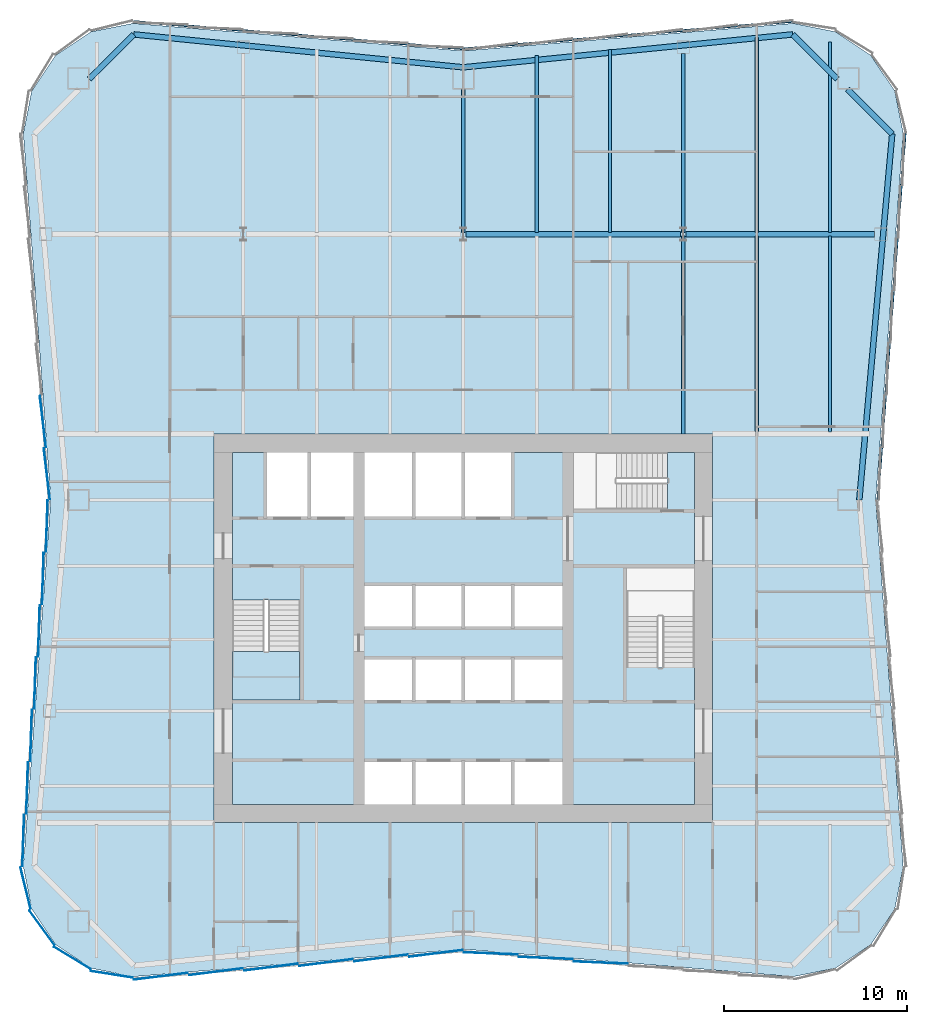
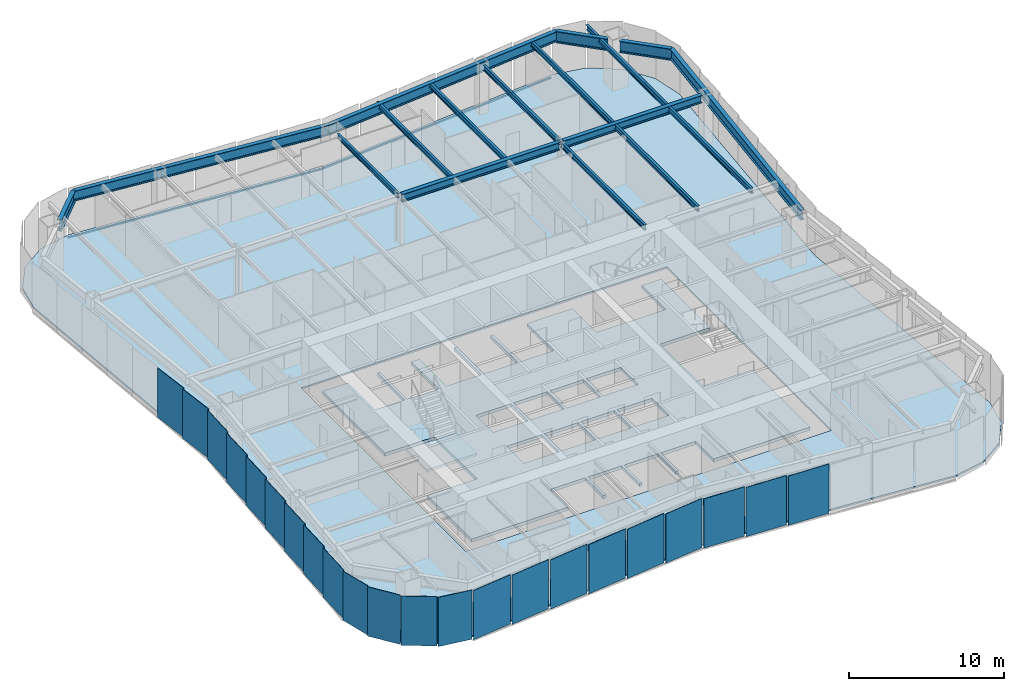
# One storey, part 2 of 8: 22 plates, 17 beams, 3 members, 3 slabs, 6 elements without a shape of their own.
"""IFC4 building model written with IfcOpenShell, lengths in metres."""

from ifc_helpers import new_model, si_unit, direction, frame, origin, origin_2d, place, context, subcontext, project, spatial, polyline, rectangle, i_section, outline, extrude, material, layer, layer_set, material_profile, profile_set, type_object, element, aggregate, save


model = new_model("IFC4")

# Units and contexts
model_context = context("Model", 3, precision=1e-05, world=origin(), true_north=direction((0.0, 1.0)))
body_context = subcontext(model_context, "Body", "Model", "MODEL_VIEW")
ifc_project = project(units=[si_unit("LENGTHUNIT", "METRE"), si_unit("AREAUNIT", "SQUARE_METRE"), si_unit("VOLUMEUNIT", "CUBIC_METRE"), si_unit("PLANEANGLEUNIT", "RADIAN"), si_unit("MASSUNIT", "GRAM", prefix="KILO")], contexts=[model_context])

# Site, building, storey
site_placement = place(None, origin())
site = spatial("IfcSite", under=ifc_project, at=site_placement, CompositionType="ELEMENT")
building_placement = place(site_placement, origin())
building = spatial("IfcBuilding", under=site, at=building_placement, Name="Verdant Reach Tower", CompositionType="ELEMENT")
storey_placement = place(building_placement, frame((0.0, 0.0, 158.0)))
storey = spatial("IfcBuildingStorey", under=building, at=storey_placement, Name="L36", CompositionType="ELEMENT", Elevation=158.0)

# Curtain wall, member
ifc_material_1 = material(Name="Anodised aluminium", Category="aluminium")
curtain_wall_type = type_object("IfcCurtainWallType", Name="EN-CW SYSTEM Z2", PredefinedType="NOTDEFINED", material=ifc_material_1)
curtain_wall_1_placement = place(storey_placement, origin())
curtain_wall_1 = element("IfcCurtainWall", 1, at=curtain_wall_1_placement, inside=storey, type_object=curtain_wall_type, Name="Curtain wall east, L36", PredefinedType="NOTDEFINED")
ifc_material_profile_1 = material_profile(ifc_material_1, rectangle(XDim=0.10009765625, YDim=0.1240234375, at=origin_2d()), Name="Transom 124x100")
ifc_profile_set_1 = profile_set([ifc_material_profile_1], Name="Anodised aluminium")
member_type = type_object("IfcMemberType", Name="EN-TRANSOM Z2", PredefinedType="USERDEFINED", material=ifc_profile_set_1)
member_1_placement = place(storey_placement, frame((22.6083984375, 35.031982421875, -0.2880859375), z_axis=(0.07476111665, 0.997201471839, 0.0), x_axis=(-0.997201471839, 0.07476111665, 0.0)))
member_1 = element("IfcMember", 2, at=member_1_placement, type_object=member_type, Name="Transom east face part 2 1.1, L36", ObjectType="TRANSOM", PredefinedType="USERDEFINED", context=body_context, shape_type="SweptSolid", body=[
    extrude(rectangle(XDim=0.10009765625, YDim=0.1240234375, at=origin_2d()), origin(), (0.0, 0.0, 1.0), 19.99853515625),
])
aggregate(curtain_wall_1, [member_1])

# Curtain wall, members
curtain_wall_2_placement = place(storey_placement, origin())
curtain_wall_2 = element("IfcCurtainWall", 3, at=curtain_wall_2_placement, inside=storey, type_object=curtain_wall_type, Name="Curtain wall north, L36", PredefinedType="NOTDEFINED")
member_2_placement = place(storey_placement, frame((17.97412109375, 61.103271484375, -0.2880859375), z_axis=(-0.996548282776, -0.083015179915, 0.0), x_axis=(0.083015179915, -0.996548282776, 0.0)))
member_2 = element("IfcMember", 4, at=member_2_placement, type_object=member_type, Name="Transom north face part 1 1.1, L36", ObjectType="TRANSOM", PredefinedType="USERDEFINED", context=body_context, shape_type="SweptSolid", body=[
    extrude(rectangle(XDim=0.10009765625, YDim=0.1240234375, at=origin_2d()), origin(), (0.0, 0.0, 1.0), 18.00439453125),
])
member_3_placement = place(storey_placement, frame((-0.031982421875, 59.608642578125, -0.2880859375), z_axis=(-0.996548282776, 0.083015179915, 0.0), x_axis=(-0.083015179915, -0.996548282776, 0.0)))
member_3 = element("IfcMember", 5, at=member_3_placement, type_object=member_type, Name="Transom north face part 2 1.1, L36", ObjectType="TRANSOM", PredefinedType="USERDEFINED", context=body_context, shape_type="SweptSolid", body=[
    extrude(rectangle(XDim=0.10009765625, YDim=0.1240234375, at=origin_2d()), origin(), (0.0, 0.0, 1.0), 18.00439453125),
])
aggregate(curtain_wall_2, [member_2, member_3])

# Beams
ifc_material_2 = material(Name="Steel S355", Category="steel")
ifc_material_profile_2 = material_profile(ifc_material_2, i_section(OverallWidth=0.300048828125, OverallDepth=0.60009765625, WebThickness=0.015380859375, FlangeThickness=0.030029296875, FilletRadius=0.027099609375, at=origin_2d()), Name="HEB 600")
ifc_profile_set_2 = profile_set([ifc_material_profile_2], Name="Steel S355")
beam_type_1 = type_object("IfcBeamType", Name="ST-BEAM-HEB600", PredefinedType="BEAM", material=ifc_profile_set_2)
beam_1_placement = place(storey_placement, frame((0.154052734375, 49.5, 3.570068359375), z_axis=(1.0, 0.0, 0.0), x_axis=(0.0, 1.0, 0.0)))
element("IfcBeam", 6, at=beam_1_placement, inside=storey, type_object=beam_type_1, Name="Row girder, L36", PredefinedType="BEAM", context=body_context, shape_type="SweptSolid", body=[
    extrude(i_section(OverallWidth=0.300048828125, OverallDepth=0.60009765625, WebThickness=0.015380859375, FlangeThickness=0.030029296875, FilletRadius=0.027099609375, at=origin_2d()), origin(), (0.0, 0.0, 1.0), 11.69189453125),
])
beam_2_placement = place(storey_placement, frame((12.154052734375, 49.5, 3.570068359375), z_axis=(1.0, 0.0, 0.0), x_axis=(0.0, 1.0, 0.0)))
element("IfcBeam", 7, at=beam_2_placement, inside=storey, type_object=beam_type_1, Name="Row girder, L36", PredefinedType="BEAM", context=body_context, shape_type="SweptSolid", body=[
    extrude(i_section(OverallWidth=0.300048828125, OverallDepth=0.60009765625, WebThickness=0.015380859375, FlangeThickness=0.030029296875, FilletRadius=0.027099609375, at=origin_2d()), origin(), (0.0, 0.0, 1.0), 10.283447265625),
])
ifc_material_profile_3 = material_profile(ifc_material_2, i_section(OverallWidth=0.169921875, OverallDepth=0.360107421875, WebThickness=0.008056640625, FlangeThickness=0.0126953125, FilletRadius=0.01806640625, at=origin_2d()), Name="IPE 360")
ifc_profile_set_3 = profile_set([ifc_material_profile_3], Name="Steel S355")
beam_type_2 = type_object("IfcBeamType", Name="ST-JOIST-IPE360", PredefinedType="JOIST", material=ifc_profile_set_3)
beam_3_placement = place(storey_placement, frame((0.0, 49.60009765625, 3.68994140625), z_axis=(0.0, 1.0, 0.0), x_axis=(-1.0, 0.0, 0.0)))
element("IfcBeam", 8, at=beam_3_placement, inside=storey, type_object=beam_type_2, Name="Floor joist, L36", PredefinedType="JOIST", context=body_context, shape_type="SweptSolid", body=[
    extrude(i_section(OverallWidth=0.169921875, OverallDepth=0.360107421875, WebThickness=0.008056640625, FlangeThickness=0.0126953125, FilletRadius=0.01806640625, at=origin_2d()), origin(), (0.0, 0.0, 1.0), 7.7998046875),
])
ifc_material_profile_4 = material_profile(ifc_material_2, i_section(OverallWidth=0.179931640625, OverallDepth=0.39990234375, WebThickness=0.008544921875, FlangeThickness=0.013427734375, FilletRadius=0.02099609375, at=origin_2d()), Name="IPE 400")
ifc_profile_set_4 = profile_set([ifc_material_profile_4], Name="Steel S355")
beam_type_3 = type_object("IfcBeamType", Name="ST-JOIST-IPE400", PredefinedType="JOIST", material=ifc_profile_set_4)
beam_4_placement = place(storey_placement, frame((4.0, 49.60009765625, 3.669921875), z_axis=(0.0, 1.0, 0.0), x_axis=(-1.0, 0.0, 0.0)))
element("IfcBeam", 9, at=beam_4_placement, inside=storey, type_object=beam_type_3, Name="Floor joist, L36", PredefinedType="JOIST", context=body_context, shape_type="SweptSolid", body=[
    extrude(i_section(OverallWidth=0.179931640625, OverallDepth=0.39990234375, WebThickness=0.008544921875, FlangeThickness=0.013427734375, FilletRadius=0.02099609375, at=origin_2d()), origin(), (0.0, 0.0, 1.0), 9.631103515625),
])
beam_5_placement = place(storey_placement, frame((8.0, 49.60009765625, 3.669921875), z_axis=(0.0, 1.0, 0.0), x_axis=(-1.0, 0.0, 0.0)))
element("IfcBeam", 10, at=beam_5_placement, inside=storey, type_object=beam_type_3, Name="Floor joist, L36", PredefinedType="JOIST", context=body_context, shape_type="SweptSolid", body=[
    extrude(i_section(OverallWidth=0.179931640625, OverallDepth=0.39990234375, WebThickness=0.008544921875, FlangeThickness=0.013427734375, FilletRadius=0.02099609375, at=origin_2d()), origin(), (0.0, 0.0, 1.0), 9.964599609375),
])
beam_6_placement = place(storey_placement, frame((12.0, 38.60009765625, 3.669921875), z_axis=(0.0, 1.0, 0.0), x_axis=(-1.0, 0.0, 0.0)))
element("IfcBeam", 11, at=beam_6_placement, inside=storey, type_object=beam_type_3, Name="Floor joist, L36", PredefinedType="JOIST", context=body_context, shape_type="SweptSolid", body=[
    extrude(i_section(OverallWidth=0.179931640625, OverallDepth=0.39990234375, WebThickness=0.008544921875, FlangeThickness=0.013427734375, FilletRadius=0.02099609375, at=origin_2d()), origin(), (0.0, 0.0, 1.0), 10.7998046875),
])
beam_7_placement = place(storey_placement, frame((12.0, 49.60009765625, 3.669921875), z_axis=(0.0, 1.0, 0.0), x_axis=(-1.0, 0.0, 0.0)))
element("IfcBeam", 12, at=beam_7_placement, inside=storey, type_object=beam_type_3, Name="Floor joist, L36", PredefinedType="JOIST", context=body_context, shape_type="SweptSolid", body=[
    extrude(i_section(OverallWidth=0.179931640625, OverallDepth=0.39990234375, WebThickness=0.008544921875, FlangeThickness=0.013427734375, FilletRadius=0.02099609375, at=origin_2d()), origin(), (0.0, 0.0, 1.0), 9.75),
])
beam_8_placement = place(storey_placement, frame((16.0, 38.699951171875, 3.669921875), z_axis=(0.0, 1.0, 0.0), x_axis=(-1.0, 0.0, 0.0)))
element("IfcBeam", 13, at=beam_8_placement, inside=storey, type_object=beam_type_3, Name="Floor joist, L36", PredefinedType="JOIST", context=body_context, shape_type="SweptSolid", body=[
    extrude(i_section(OverallWidth=0.179931640625, OverallDepth=0.39990234375, WebThickness=0.008544921875, FlangeThickness=0.013427734375, FilletRadius=0.02099609375, at=origin_2d()), origin(), (0.0, 0.0, 1.0), 10.699951171875),
])
beam_9_placement = place(storey_placement, frame((16.0, 49.60009765625, 3.669921875), z_axis=(0.0, 1.0, 0.0), x_axis=(-1.0, 0.0, 0.0)))
element("IfcBeam", 14, at=beam_9_placement, inside=storey, type_object=beam_type_3, Name="Floor joist, L36", PredefinedType="JOIST", context=body_context, shape_type="SweptSolid", body=[
    extrude(i_section(OverallWidth=0.179931640625, OverallDepth=0.39990234375, WebThickness=0.008544921875, FlangeThickness=0.013427734375, FilletRadius=0.02099609375, at=origin_2d()), origin(), (0.0, 0.0, 1.0), 10.631103515625),
])
beam_10_placement = place(storey_placement, frame((20.0, 38.699951171875, 3.669921875), z_axis=(0.0, 1.0, 0.0), x_axis=(-1.0, 0.0, 0.0)))
element("IfcBeam", 15, at=beam_10_placement, inside=storey, type_object=beam_type_3, Name="Floor joist, L36", PredefinedType="JOIST", context=body_context, shape_type="SweptSolid", body=[
    extrude(i_section(OverallWidth=0.179931640625, OverallDepth=0.39990234375, WebThickness=0.008544921875, FlangeThickness=0.013427734375, FilletRadius=0.02099609375, at=origin_2d()), origin(), (0.0, 0.0, 1.0), 10.699951171875),
])
beam_11_placement = place(storey_placement, frame((20.0, 49.60009765625, 3.669921875), z_axis=(0.0, 1.0, 0.0), x_axis=(-1.0, 0.0, 0.0)))
element("IfcBeam", 16, at=beam_11_placement, inside=storey, type_object=beam_type_3, Name="Floor joist, L36", PredefinedType="JOIST", context=body_context, shape_type="SweptSolid", body=[
    extrude(i_section(OverallWidth=0.179931640625, OverallDepth=0.39990234375, WebThickness=0.008544921875, FlangeThickness=0.013427734375, FilletRadius=0.02099609375, at=origin_2d()), origin(), (0.0, 0.0, 1.0), 10.390380859375),
])
ifc_material_profile_5 = material_profile(ifc_material_2, i_section(OverallWidth=0.300048828125, OverallDepth=0.800048828125, WebThickness=0.017578125, FlangeThickness=0.032958984375, FilletRadius=0.030029296875, at=origin_2d()), Name="HEB 800")
ifc_profile_set_5 = profile_set([ifc_material_profile_5], Name="Steel S355")
beam_type_4 = type_object("IfcBeamType", Name="ST-SPANDREL-HEB800", PredefinedType="SPANDREL", material=ifc_profile_set_5)
for number, where, z_axis, x_axis, name in (
    (17, (-17.9658203125, 60.39501953125, 3.469970703125), (0.995046289869, -0.099412680371, 0.0), (0.099412680371, 0.995046289869, 0.0), "Edge beam, L36"),
    (18, (0.0, 58.60009765625, 3.469970703125), (0.995046289869, 0.099412680371, 0.0), (-0.099412680371, 0.995046289869, 0.0), "Edge beam, L36"),
):
    element("IfcBeam", number, at=place(storey_placement, frame(where, z_axis=z_axis, x_axis=x_axis)), inside=storey, type_object=beam_type_4, Name=name, PredefinedType="SPANDREL", context=body_context, shape_type="SweptSolid", body=[
        extrude(i_section(OverallWidth=0.300048828125, OverallDepth=0.800048828125, WebThickness=0.017578125, FlangeThickness=0.032958984375, FilletRadius=0.030029296875, at=origin_2d()), origin(), (0.0, 0.0, 1.0), 18.05517578125),
    ])
beam_12_placement = place(storey_placement, frame((23.3955078125, 54.963134765625, 3.469970703125), z_axis=(-0.089574749266, -0.995980102358, 0.0), x_axis=(0.995980102358, -0.089574749266, 0.0)))
element("IfcBeam", 19, at=beam_12_placement, inside=storey, type_object=beam_type_4, Name="Edge beam, L36", PredefinedType="SPANDREL", context=body_context, shape_type="SweptSolid", body=[
    extrude(i_section(OverallWidth=0.300048828125, OverallDepth=0.800048828125, WebThickness=0.017578125, FlangeThickness=0.032958984375, FilletRadius=0.030029296875, at=origin_2d()), origin(), (0.0, 0.0, 1.0), 20.043701171875),
])
ifc_material_profile_6 = material_profile(ifc_material_2, i_section(OverallWidth=0.302001953125, OverallDepth=0.909912109375, WebThickness=0.02099609375, FlangeThickness=0.0400390625, FilletRadius=0.030029296875, at=origin_2d()), Name="HEM 900")
ifc_profile_set_6 = profile_set([ifc_material_profile_6], Name="Steel S355")
beam_type_5 = type_object("IfcBeamType", Name="ST-SPANDREL-HEM900", PredefinedType="SPANDREL", material=ifc_profile_set_6)
for number, where, z_axis, x_axis, name in (
    (20, (-20.39990234375, 57.9599609375, 3.4150390625), (0.70696494852, 0.70724858541, 0.0), (-0.70724858541, 0.70696494852, 0.0), "Edge beam, L36"),
    (21, (17.9658203125, 60.39501953125, 3.4150390625), (0.70696494852, -0.70724858541, 0.0), (0.70724858541, 0.70696494852, 0.0), "Edge beam, L36"),
):
    element("IfcBeam", number, at=place(storey_placement, frame(where, z_axis=z_axis, x_axis=x_axis)), inside=storey, type_object=beam_type_5, Name=name, PredefinedType="SPANDREL", context=body_context, shape_type="SweptSolid", body=[
        extrude(i_section(OverallWidth=0.302001953125, OverallDepth=0.909912109375, WebThickness=0.02099609375, FlangeThickness=0.0400390625, FilletRadius=0.030029296875, at=origin_2d()), origin(), (0.0, 0.0, 1.0), 3.443115234375),
    ])
beam_13_placement = place(storey_placement, frame((20.959716796875, 57.39990234375, 3.4150390625), z_axis=(0.706965048022, -0.707248485948, 0.0), x_axis=(0.707248485948, 0.706965048022, 0.0)))
element("IfcBeam", 22, at=beam_13_placement, inside=storey, type_object=beam_type_5, Name="Edge beam, L36", PredefinedType="SPANDREL", context=body_context, shape_type="SweptSolid", body=[
    extrude(i_section(OverallWidth=0.302001953125, OverallDepth=0.909912109375, WebThickness=0.02099609375, FlangeThickness=0.0400390625, FilletRadius=0.030029296875, at=origin_2d()), origin(), (0.0, 0.0, 1.0), 3.4453125),
])

# Stair, slab
ifc_material_3 = material(Name="Concrete C40/50", Category="concrete")
stair_type = type_object("IfcStairType", Name="CO-STAIR", PredefinedType="HALF_TURN_STAIR", material=ifc_material_3)
stair_placement = place(storey_placement, origin())
stair = element("IfcStair", 23, at=stair_placement, inside=storey, type_object=stair_type, Name="L36 Exit stair 1", PredefinedType="HALF_TURN_STAIR")
ifc_layer_1 = layer(ifc_material_3, 0.199951171875)
ifc_layer_set_1 = layer_set([ifc_layer_1], Name="CO-STAIR-LANDING")
slab_type_1 = type_object("IfcSlabType", Name="CO-STAIR-LANDING", PredefinedType="LANDING", material=ifc_layer_set_1)
slab_1_placement = place(storey_placement, frame((0.0, 0.0, 1.800048828125)))
slab_1 = element("IfcSlab", 24, at=slab_1_placement, type_object=slab_type_1, Name="ST-1 landing 1", PredefinedType="LANDING", context=body_context, shape_type="SweptSolid", body=[
    extrude(outline(polyline([(-12.60009765625, 26.75), (-12.60009765625, 24.10009765625), (-8.89990234375, 24.10009765625), (-8.89990234375, 26.75), (-12.60009765625, 26.75)])), origin(), (0.0, 0.0, 1.0), 0.199951171875),
])
aggregate(stair, [slab_1])

# Curtain wall, plates
curtain_wall_3_placement = place(storey_placement, origin())
curtain_wall_3 = element("IfcCurtainWall", 25, at=curtain_wall_3_placement, inside=storey, type_object=curtain_wall_type, Name="Curtain wall west, L36", PredefinedType="NOTDEFINED")
ifc_material_4 = material(Name="Tinted glass with champagne spandrel", Category="glass")
ifc_layer_2 = layer(ifc_material_4, 0.031982421875)
ifc_layer_set_2 = layer_set([ifc_layer_2], Name="EN-PANEL CHAMPAGNE")
plate_type_1 = type_object("IfcPlateType", Name="EN-PANEL CHAMPAGNE", PredefinedType="CURTAIN_PANEL", material=ifc_layer_set_2)
plate_1_placement = place(storey_placement, frame((-22.92724609375, 39.27783203125, -0.22607421875), z_axis=(0.0, 0.0, 1.0), x_axis=(0.116482717753, -0.993192718693, 0.0)))
plate_1 = element("IfcPlate", 26, at=plate_1_placement, type_object=plate_type_1, Name="Glass panel west face part 1 6.1, L36", PredefinedType="CURTAIN_PANEL", context=body_context, shape_type="SweptSolid", body=[
    extrude(rectangle(XDim=2.80517578125, YDim=0.031982421875, at=origin_2d()), origin(), (0.0, 0.0, 1.0), 3.8759765625),
])
plate_2_placement = place(storey_placement, frame((-23.7841796875, 19.293701171875, -0.22607421875), z_axis=(0.0, 0.0, 1.0), x_axis=(-0.032965971753, -0.999456474643, 0.0)))
plate_2 = element("IfcPlate", 27, at=plate_2_placement, type_object=plate_type_1, Name="Glass panel west face part 2 6.1, L36", PredefinedType="CURTAIN_PANEL", context=body_context, shape_type="SweptSolid", body=[
    extrude(rectangle(XDim=2.80517578125, YDim=0.031982421875, at=origin_2d()), origin(), (0.0, 0.0, 1.0), 3.8759765625),
])
plate_3_placement = place(storey_placement, frame((-23.99853515625, 16.42919921875, -0.22607421875), z_axis=(0.0, 0.0, 1.0), x_axis=(-0.032628234484, -0.99946755741, 0.0)))
plate_3 = element("IfcPlate", 28, at=plate_3_placement, type_object=plate_type_1, Name="Glass panel west face part 2 7.1, L36", PredefinedType="CURTAIN_PANEL", context=body_context, shape_type="SweptSolid", body=[
    extrude(rectangle(XDim=2.819580078125, YDim=0.031982421875, at=origin_2d()), origin(), (0.0, 0.0, 1.0), 3.8759765625),
])

curtain_wall_4_placement = place(storey_placement, origin())
curtain_wall_4 = element("IfcCurtainWall", 29, at=curtain_wall_4_placement, inside=storey, type_object=curtain_wall_type, Name="Curtain wall south, L36", PredefinedType="NOTDEFINED")
plate_4_placement = place(storey_placement, frame((-13.4912109375, 9.269287109375, -0.22607421875), z_axis=(0.0, 0.0, 1.0), x_axis=(0.992194034542, 0.124703639961, 0.0)))
plate_4 = element("IfcPlate", 30, at=plate_4_placement, type_object=plate_type_1, Name="Glass panel south face part 1 2.1, L36", PredefinedType="CURTAIN_PANEL", context=body_context, shape_type="SweptSolid", body=[
    extrude(rectangle(XDim=2.950439453125, YDim=0.031982421875, at=origin_2d()), origin(), (0.0, 0.0, 1.0), 3.8759765625),
])
plate_5_placement = place(storey_placement, frame((-10.4912109375, 9.519287109375, -0.22607421875), z_axis=(0.0, 0.0, 1.0), x_axis=(0.992194034542, 0.124703639961, 0.0)))
plate_5 = element("IfcPlate", 31, at=plate_5_placement, type_object=plate_type_1, Name="Glass panel south face part 1 3.1, L36", PredefinedType="CURTAIN_PANEL", context=body_context, shape_type="SweptSolid", body=[
    extrude(rectangle(XDim=2.950439453125, YDim=0.031982421875, at=origin_2d()), origin(), (0.0, 0.0, 1.0), 3.8759765625),
])
plate_6_placement = place(storey_placement, frame((-7.4912109375, 9.769287109375, -0.22607421875), z_axis=(0.0, 0.0, 1.0), x_axis=(0.992194034542, 0.124703639961, 0.0)))
plate_6 = element("IfcPlate", 32, at=plate_6_placement, type_object=plate_type_1, Name="Glass panel south face part 1 4.1, L36", PredefinedType="CURTAIN_PANEL", context=body_context, shape_type="SweptSolid", body=[
    extrude(rectangle(XDim=2.950439453125, YDim=0.031982421875, at=origin_2d()), origin(), (0.0, 0.0, 1.0), 3.8759765625),
])

# Plate
ifc_material_5 = material(Name="Tinted glass with copper spandrel", Category="glass")
ifc_layer_3 = layer(ifc_material_5, 0.031982421875)
ifc_layer_set_3 = layer_set([ifc_layer_3], Name="EN-PANEL COPPER")
plate_type_2 = type_object("IfcPlateType", Name="EN-PANEL COPPER", PredefinedType="CURTAIN_PANEL", material=ifc_layer_set_3)
plate_7_placement = place(storey_placement, frame((-22.712890625, 36.424560546875, -0.22607421875), z_axis=(0.0, 0.0, 1.0), x_axis=(0.116585911919, -0.993180610535, 0.0)))
plate_7 = element("IfcPlate", 33, at=plate_7_placement, type_object=plate_type_2, Name="Glass panel west face part 1 7.1, L36", PredefinedType="CURTAIN_PANEL", context=body_context, shape_type="SweptSolid", body=[
    extrude(rectangle(XDim=2.797119140625, YDim=0.031982421875, at=origin_2d()), origin(), (0.0, 0.0, 1.0), 3.8759765625),
])

plate_8_placement = place(storey_placement, frame((-22.712890625, 33.575439453125, -0.22607421875), z_axis=(0.0, 0.0, 1.0), x_axis=(-0.033069817188, -0.999453044015, 0.0)))
plate_8 = element("IfcPlate", 34, at=plate_8_placement, type_object=plate_type_2, Name="Glass panel west face part 2 1.1, L36", PredefinedType="CURTAIN_PANEL", context=body_context, shape_type="SweptSolid", body=[
    extrude(rectangle(XDim=2.797119140625, YDim=0.031982421875, at=origin_2d()), origin(), (0.0, 0.0, 1.0), 3.8759765625),
])

plate_9_placement = place(storey_placement, frame((-22.92724609375, 30.72216796875, -0.22607421875), z_axis=(0.0, 0.0, 1.0), x_axis=(-0.032965971753, -0.999456474643, 0.0)))
plate_9 = element("IfcPlate", 35, at=plate_9_placement, type_object=plate_type_2, Name="Glass panel west face part 2 2.1, L36", PredefinedType="CURTAIN_PANEL", context=body_context, shape_type="SweptSolid", body=[
    extrude(rectangle(XDim=2.80517578125, YDim=0.031982421875, at=origin_2d()), origin(), (0.0, 0.0, 1.0), 3.8759765625),
])

plate_10_placement = place(storey_placement, frame((-23.141357421875, 27.864990234375, -0.22607421875), z_axis=(0.0, 0.0, 1.0), x_axis=(-0.032965971753, -0.999456474643, 0.0)))
plate_10 = element("IfcPlate", 36, at=plate_10_placement, type_object=plate_type_2, Name="Glass panel west face part 2 3.1, L36", PredefinedType="CURTAIN_PANEL", context=body_context, shape_type="SweptSolid", body=[
    extrude(rectangle(XDim=2.80517578125, YDim=0.031982421875, at=origin_2d()), origin(), (0.0, 0.0, 1.0), 3.8759765625),
])

# Curtain wall, plate
curtain_wall_5_placement = place(storey_placement, origin())
curtain_wall_5 = element("IfcCurtainWall", 37, at=curtain_wall_5_placement, inside=storey, type_object=curtain_wall_type, Name="Curtain wall south-west corner, L36", PredefinedType="NOTDEFINED")
plate_11_placement = place(storey_placement, frame((-23.87353515625, 13.828369140625, -0.22607421875), z_axis=(0.0, 0.0, 1.0), x_axis=(0.236416170006, -0.971651889598, 0.0)))
plate_11 = element("IfcPlate", 38, at=plate_11_placement, type_object=plate_type_2, Name="Glass panel south-west corner 1.1, L36", PredefinedType="CURTAIN_PANEL", context=body_context, shape_type="SweptSolid", body=[
    extrude(rectangle(XDim=2.316162109375, YDim=0.031982421875, at=origin_2d()), origin(), (0.0, 0.0, 1.0), 3.8759765625),
])

# Plate
plate_12_placement = place(storey_placement, frame((-4.4912109375, 10.019287109375, -0.22607421875), z_axis=(0.0, 0.0, 1.0), x_axis=(0.992194034542, 0.124703639961, 0.0)))
plate_12 = element("IfcPlate", 39, at=plate_12_placement, type_object=plate_type_2, Name="Glass panel south face part 1 5.1, L36", PredefinedType="CURTAIN_PANEL", context=body_context, shape_type="SweptSolid", body=[
    extrude(rectangle(XDim=2.950439453125, YDim=0.031982421875, at=origin_2d()), origin(), (0.0, 0.0, 1.0), 3.8759765625),
])

plate_13_placement = place(storey_placement, frame((-1.49560546875, 10.269287109375, -0.22607421875), z_axis=(0.0, 0.0, 1.0), x_axis=(0.992178815188, 0.12482467181, 0.0)))
plate_13 = element("IfcPlate", 40, at=plate_13_placement, type_object=plate_type_2, Name="Glass panel south face part 1 6.1, L36", PredefinedType="CURTAIN_PANEL", context=body_context, shape_type="SweptSolid", body=[
    extrude(rectangle(XDim=2.941650390625, YDim=0.031982421875, at=origin_2d()), origin(), (0.0, 0.0, 1.0), 3.8759765625),
])

ifc_material_6 = material(Name="Tinted glass with dark bronze spandrel", Category="glass")
ifc_layer_4 = layer(ifc_material_6, 0.031982421875)
ifc_layer_set_4 = layer_set([ifc_layer_4], Name="EN-PANEL DARK")
plate_type_3 = type_object("IfcPlateType", Name="EN-PANEL DARK", PredefinedType="CURTAIN_PANEL", material=ifc_layer_set_4)
plate_14_placement = place(storey_placement, frame((-23.355712890625, 25.0078125, -0.22607421875), z_axis=(0.0, 0.0, 1.0), x_axis=(-0.032965971753, -0.999456474643, 0.0)))
plate_14 = element("IfcPlate", 41, at=plate_14_placement, type_object=plate_type_3, Name="Glass panel west face part 2 4.1, L36", PredefinedType="CURTAIN_PANEL", context=body_context, shape_type="SweptSolid", body=[
    extrude(rectangle(XDim=2.80517578125, YDim=0.031982421875, at=origin_2d()), origin(), (0.0, 0.0, 1.0), 3.8759765625),
])

plate_15_placement = place(storey_placement, frame((-23.570068359375, 22.15087890625, -0.22607421875), z_axis=(0.0, 0.0, 1.0), x_axis=(-0.032965971753, -0.999456474643, 0.0)))
plate_15 = element("IfcPlate", 42, at=plate_15_placement, type_object=plate_type_3, Name="Glass panel west face part 2 5.1, L36", PredefinedType="CURTAIN_PANEL", context=body_context, shape_type="SweptSolid", body=[
    extrude(rectangle(XDim=2.80517578125, YDim=0.031982421875, at=origin_2d()), origin(), (0.0, 0.0, 1.0), 3.8759765625),
])

aggregate(curtain_wall_3, [plate_1, plate_7, plate_8, plate_9, plate_10, plate_14, plate_15, plate_2, plate_3])

plate_16_placement = place(storey_placement, frame((-22.9794921875, 11.6728515625, -0.22607421875), z_axis=(0.0, 0.0, 1.0), x_axis=(0.589926757843, -0.807456760688, 0.0)))
plate_16 = element("IfcPlate", 43, at=plate_16_placement, type_object=plate_type_3, Name="Glass panel south-west corner 2.1, L36", PredefinedType="CURTAIN_PANEL", context=body_context, shape_type="SweptSolid", body=[
    extrude(rectangle(XDim=2.322509765625, YDim=0.031982421875, at=origin_2d()), origin(), (0.0, 0.0, 1.0), 3.8759765625),
])

plate_17_placement = place(storey_placement, frame((-21.3271484375, 10.0205078125, -0.22607421875), z_axis=(0.0, 0.0, 1.0), x_axis=(0.853988694998, -0.520291561353, 0.0)))
plate_17 = element("IfcPlate", 44, at=plate_17_placement, type_object=plate_type_3, Name="Glass panel south-west corner 3.1, L36", PredefinedType="CURTAIN_PANEL", context=body_context, shape_type="SweptSolid", body=[
    extrude(rectangle(XDim=2.322509765625, YDim=0.031982421875, at=origin_2d()), origin(), (0.0, 0.0, 1.0), 3.8759765625),
])

plate_18_placement = place(storey_placement, frame((-19.17138671875, 9.12646484375, -0.22607421875), z_axis=(0.0, 0.0, 1.0), x_axis=(0.988030887576, -0.154256167447, 0.0)))
plate_18 = element("IfcPlate", 45, at=plate_18_placement, type_object=plate_type_3, Name="Glass panel south-west corner 4.1, L36", PredefinedType="CURTAIN_PANEL", context=body_context, shape_type="SweptSolid", body=[
    extrude(rectangle(XDim=2.31640625, YDim=0.031982421875, at=origin_2d()), origin(), (0.0, 0.0, 1.0), 3.8759765625),
])

aggregate(curtain_wall_5, [plate_11, plate_16, plate_17, plate_18])

plate_19_placement = place(storey_placement, frame((-16.49853515625, 9.019287109375, -0.22607421875), z_axis=(0.0, 0.0, 1.0), x_axis=(0.992236570309, 0.124364739946, 0.0)))
plate_19 = element("IfcPlate", 46, at=plate_19_placement, type_object=plate_type_3, Name="Glass panel south face part 1 1.1, L36", PredefinedType="CURTAIN_PANEL", context=body_context, shape_type="SweptSolid", body=[
    extrude(rectangle(XDim=2.965087890625, YDim=0.031982421875, at=origin_2d()), origin(), (0.0, 0.0, 1.0), 3.8759765625),
])

plate_20_placement = place(storey_placement, frame((1.49560546875, 10.269287109375, -0.22607421875), z_axis=(0.0, 0.0, 1.0), x_axis=(0.999144163765, -0.041363510662, 0.0)))
plate_20 = element("IfcPlate", 47, at=plate_20_placement, type_object=plate_type_3, Name="Glass panel south face part 2 1.1, L36", PredefinedType="CURTAIN_PANEL", context=body_context, shape_type="SweptSolid", body=[
    extrude(rectangle(XDim=2.941650390625, YDim=0.031982421875, at=origin_2d()), origin(), (0.0, 0.0, 1.0), 3.8759765625),
])

plate_21_placement = place(storey_placement, frame((4.4912109375, 10.019287109375, -0.22607421875), z_axis=(0.0, 0.0, 1.0), x_axis=(0.999149202059, -0.041241629766, 0.0)))
plate_21 = element("IfcPlate", 48, at=plate_21_placement, type_object=plate_type_3, Name="Glass panel south face part 2 2.1, L36", PredefinedType="CURTAIN_PANEL", context=body_context, shape_type="SweptSolid", body=[
    extrude(rectangle(XDim=2.950439453125, YDim=0.031982421875, at=origin_2d()), origin(), (0.0, 0.0, 1.0), 3.8759765625),
])

plate_22_placement = place(storey_placement, frame((7.4912109375, 9.769287109375, -0.22607421875), z_axis=(0.0, 0.0, 1.0), x_axis=(0.999149202059, -0.041241629766, 0.0)))
plate_22 = element("IfcPlate", 49, at=plate_22_placement, type_object=plate_type_3, Name="Glass panel south face part 2 3.1, L36", PredefinedType="CURTAIN_PANEL", context=body_context, shape_type="SweptSolid", body=[
    extrude(rectangle(XDim=2.950439453125, YDim=0.031982421875, at=origin_2d()), origin(), (0.0, 0.0, 1.0), 3.8759765625),
])

aggregate(curtain_wall_4, [plate_19, plate_4, plate_5, plate_6, plate_12, plate_13, plate_20, plate_21, plate_22])

# Slabs
ifc_material_7 = material(Name="Concrete C35/45", Category="concrete")
ifc_layer_5 = layer(ifc_material_7, 0.1298828125)
ifc_layer_set_5 = layer_set([ifc_layer_5], Name="ST-SLAB-130")
slab_type_2 = type_object("IfcSlabType", Name="ST-SLAB-130", PredefinedType="FLOOR", material=ifc_layer_set_5)
slab_2_placement = place(storey_placement, frame((0.0, 0.0, -0.1298828125)))
element("IfcSlab", 50, at=slab_2_placement, inside=storey, type_object=slab_type_2, Name="Floor slab L36", PredefinedType="FLOOR", context=body_context, shape_type="SweptSolid", body=[
    extrude(outline(polyline([(0.0, 10.5), (-18.0, 9.0), (-20.296142578125, 9.456787109375), (-22.24267578125, 10.75732421875), (-23.543212890625, 12.703857421875), (-24.0, 15.0), (-22.5, 35.0), (-24.0, 55.0), (-23.543212890625, 57.296142578125), (-22.24267578125, 59.24267578125), (-20.296142578125, 60.543212890625), (-18.0, 61.0), (0.0, 59.5), (18.0, 61.0), (20.296142578125, 60.543212890625), (22.24267578125, 59.24267578125), (23.543212890625, 57.296142578125), (24.0, 55.0), (22.5, 35.0), (24.0, 15.0), (23.543212890625, 12.703857421875), (22.24267578125, 10.75732421875), (20.296142578125, 9.456787109375), (18.0, 9.0), (0.0, 10.5)]), holes=[polyline([(13.60009765625, 38.60009765625), (-13.60009765625, 38.60009765625), (-13.60009765625, 17.39990234375), (13.60009765625, 17.39990234375), (13.60009765625, 38.60009765625)])]), origin(), (0.0, 0.0, 1.0), 0.1298828125),
])
ifc_layer_6 = layer(ifc_material_7, 0.25)
ifc_layer_set_6 = layer_set([ifc_layer_6], Name="ST-SLAB-250")
slab_type_3 = type_object("IfcSlabType", Name="ST-SLAB-250", PredefinedType="FLOOR", material=ifc_layer_set_6)
slab_3_placement = place(storey_placement, frame((0.0, 0.0, -0.25)))
element("IfcSlab", 51, at=slab_3_placement, inside=storey, type_object=slab_type_3, Name="Core floor slab L36", PredefinedType="FLOOR", context=body_context, shape_type="SweptSolid", body=[
    extrude(outline(polyline([(12.60009765625, 18.39990234375), (5.39990234375, 18.39990234375), (5.39990234375, 20.699951171875), (2.800048828125, 20.699951171875), (2.800048828125, 18.39990234375), (2.60009765625, 18.39990234375), (2.60009765625, 20.699951171875), (0.10009765625, 20.699951171875), (0.10009765625, 18.39990234375), (-0.10009765625, 18.39990234375), (-0.10009765625, 20.699951171875), (-2.60009765625, 20.699951171875), (-2.60009765625, 18.39990234375), (-2.800048828125, 18.39990234375), (-2.800048828125, 20.699951171875), (-5.39990234375, 20.699951171875), (-5.39990234375, 18.39990234375), (-12.60009765625, 18.39990234375), (-12.60009765625, 24.10009765625), (-8.89990234375, 24.10009765625), (-8.89990234375, 29.548095703125), (-12.60009765625, 29.548095703125), (-12.60009765625, 37.60009765625), (-10.699951171875, 37.60009765625), (-10.699951171875, 34.10009765625), (-8.5, 34.10009765625), (-8.5, 37.60009765625), (-8.300048828125, 37.60009765625), (-8.300048828125, 34.10009765625), (-6.0, 34.10009765625), (-6.0, 37.60009765625), (-5.39990234375, 37.60009765625), (-5.39990234375, 34.10009765625), (-2.800048828125, 34.10009765625), (-2.800048828125, 37.60009765625), (-2.60009765625, 37.60009765625), (-2.60009765625, 34.10009765625), (-0.10009765625, 34.10009765625), (-0.10009765625, 37.60009765625), (0.10009765625, 37.60009765625), (0.10009765625, 34.10009765625), (2.60009765625, 34.10009765625), (2.60009765625, 37.60009765625), (6.0, 37.60009765625), (6.0, 34.5), (11.14794921875, 34.5), (11.14794921875, 37.60009765625), (12.60009765625, 37.60009765625), (12.60009765625, 31.300048828125), (8.89990234375, 31.300048828125), (8.89990234375, 25.85205078125), (12.60009765625, 25.85205078125), (12.60009765625, 18.39990234375)]), holes=[polyline([(-2.800048828125, 24.10009765625), (-2.800048828125, 26.300048828125), (-5.39990234375, 26.300048828125), (-5.39990234375, 24.10009765625), (-2.800048828125, 24.10009765625)]), polyline([(-2.60009765625, 24.10009765625), (-0.10009765625, 24.10009765625), (-0.10009765625, 26.300048828125), (-2.60009765625, 26.300048828125), (-2.60009765625, 24.10009765625)]), polyline([(-2.800048828125, 28.10009765625), (-2.800048828125, 30.300048828125), (-5.39990234375, 30.300048828125), (-5.39990234375, 28.10009765625), (-2.800048828125, 28.10009765625)]), polyline([(-0.10009765625, 28.10009765625), (-0.10009765625, 30.300048828125), (-2.60009765625, 30.300048828125), (-2.60009765625, 28.10009765625), (-0.10009765625, 28.10009765625)]), polyline([(2.60009765625, 24.10009765625), (2.60009765625, 26.300048828125), (0.10009765625, 26.300048828125), (0.10009765625, 24.10009765625), (2.60009765625, 24.10009765625)]), polyline([(2.800048828125, 24.10009765625), (5.39990234375, 24.10009765625), (5.39990234375, 26.300048828125), (2.800048828125, 26.300048828125), (2.800048828125, 24.10009765625)]), polyline([(2.60009765625, 28.10009765625), (2.60009765625, 30.300048828125), (0.10009765625, 30.300048828125), (0.10009765625, 28.10009765625), (2.60009765625, 28.10009765625)]), polyline([(5.39990234375, 28.10009765625), (5.39990234375, 30.300048828125), (2.800048828125, 30.300048828125), (2.800048828125, 28.10009765625), (5.39990234375, 28.10009765625)])]), origin(), (0.0, 0.0, 1.0), 0.25),
])

save(model, "model.ifc")
